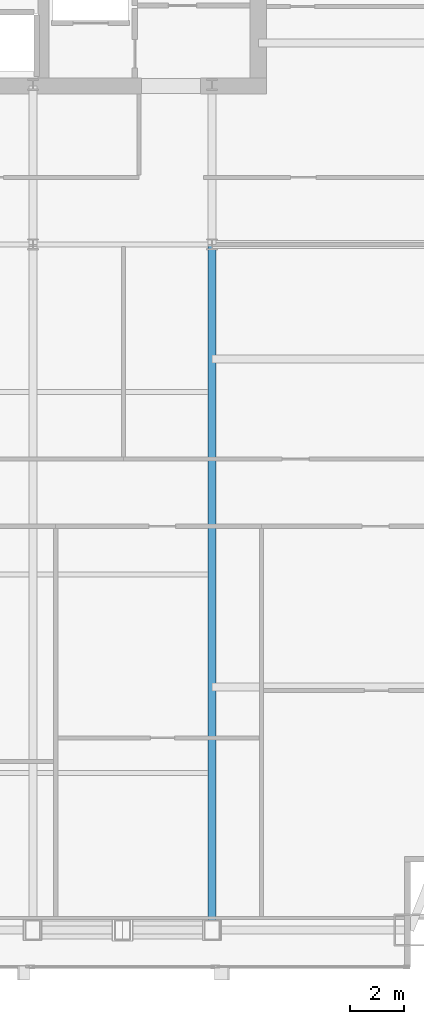
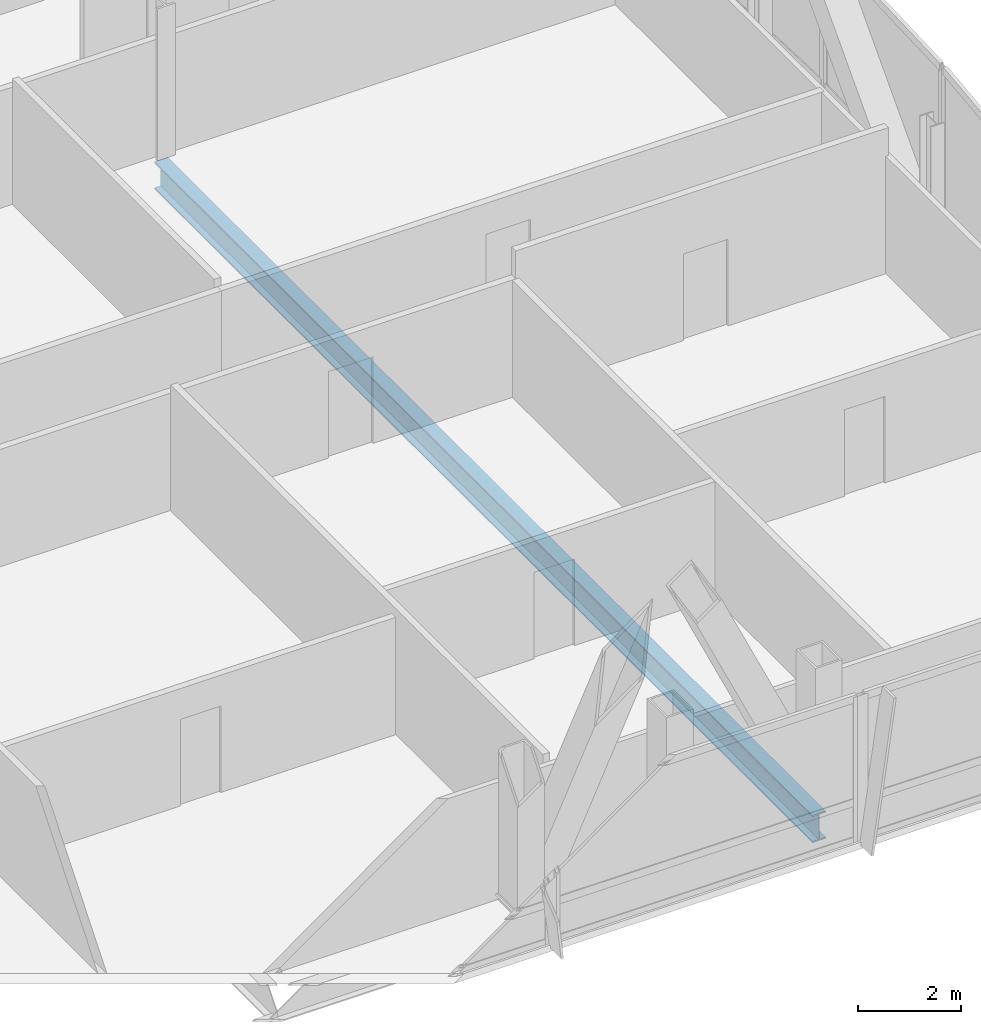
# One storey, part 17 of 32: 1 beam.
"""IFC4 building model written with IfcOpenShell, lengths in metres."""

from ifc_helpers import new_model, si_unit, direction, frame, origin, origin_2d, place, context, subcontext, project, spatial, i_section, extrude, material, material_profile, profile_set, type_object, element, save


model = new_model("IFC4")

# Units and contexts
model_context = context("Model", 3, precision=1e-05, world=origin(), true_north=direction((0.0, 1.0)))
body_context = subcontext(model_context, "Body", "Model", "MODEL_VIEW")
ifc_project = project(units=[si_unit("LENGTHUNIT", "METRE"), si_unit("AREAUNIT", "SQUARE_METRE"), si_unit("VOLUMEUNIT", "CUBIC_METRE"), si_unit("PLANEANGLEUNIT", "RADIAN"), si_unit("MASSUNIT", "GRAM", prefix="KILO")], contexts=[model_context])

# Site, building, storey
site_placement = place(None, origin())
site = spatial("IfcSite", under=ifc_project, at=site_placement, CompositionType="ELEMENT")
building_placement = place(site_placement, origin())
building = spatial("IfcBuilding", under=site, at=building_placement, Name="Khoronbel Lancet Exchange", CompositionType="ELEMENT")
storey_placement = place(building_placement, frame((0.0, 0.0, 231.800048828125)))
storey = spatial("IfcBuildingStorey", under=building, at=storey_placement, Name="L59", CompositionType="ELEMENT", Elevation=231.800048828125)

# Beam
ifc_material = material(Name="Steel S355", Category="steel")
ifc_material_profile = material_profile(ifc_material, i_section(OverallWidth=0.300048828125, OverallDepth=0.64990234375, WebThickness=0.01611328125, FlangeThickness=0.031005859375, at=origin_2d()), Name="HEB 650")
ifc_profile_set = profile_set([ifc_material_profile], Name="Steel S355")
beam_type = type_object("IfcBeamType", Name="BM-BG4", PredefinedType="BEAM", material=ifc_profile_set)
beam_placement = place(storey_placement, frame((54.675048828125, 10.14990234375, -0.485107421875), z_axis=(0.0, 1.0, 0.0), x_axis=(-1.0, 0.0, 0.0)))
element("IfcBeam", 1, at=beam_placement, inside=storey, type_object=beam_type, Name="Level L59 south primary girder GS6", PredefinedType="BEAM", context=body_context, shape_type="SweptSolid", body=[
    extrude(i_section(OverallWidth=0.300048828125, OverallDepth=0.64990234375, WebThickness=0.01611328125, FlangeThickness=0.031005859375, at=origin_2d()), origin(), (0.0, 0.0, 1.0), 25.550048828125),
])

save(model, "model.ifc")
